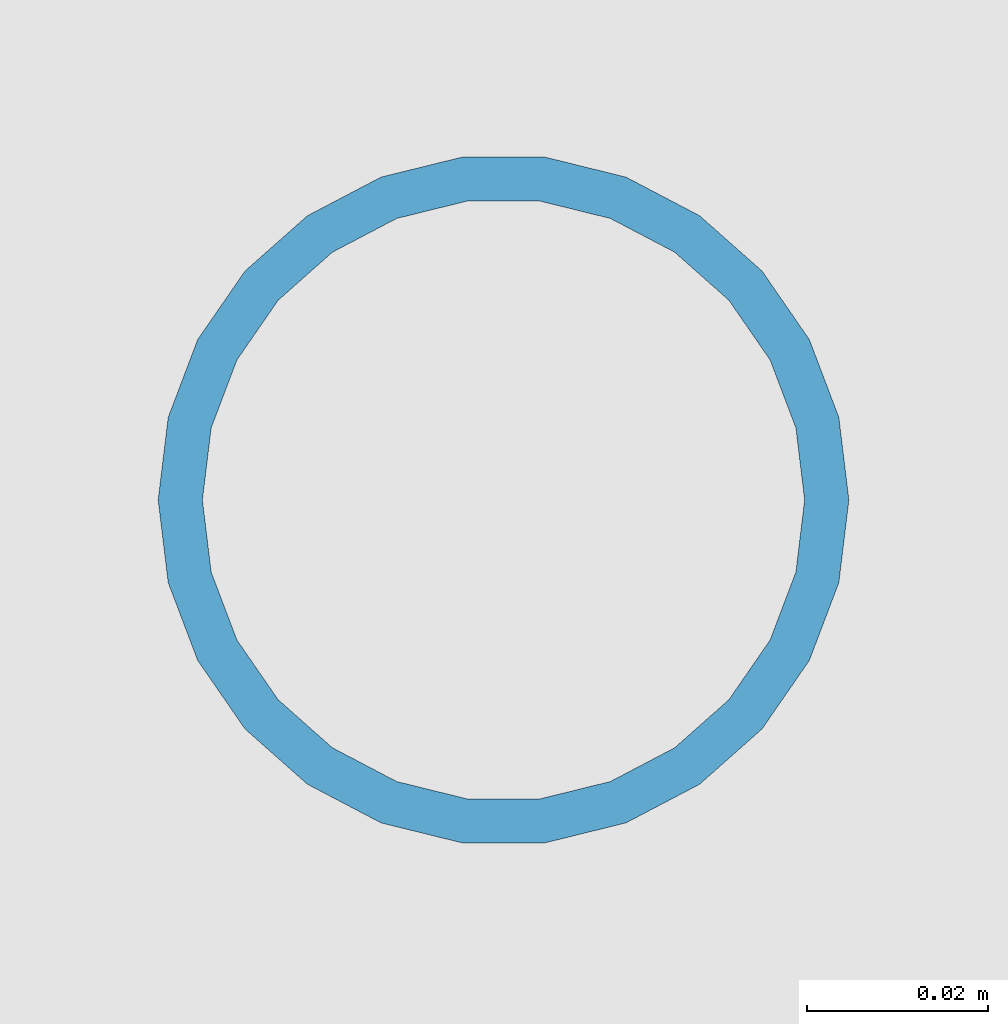
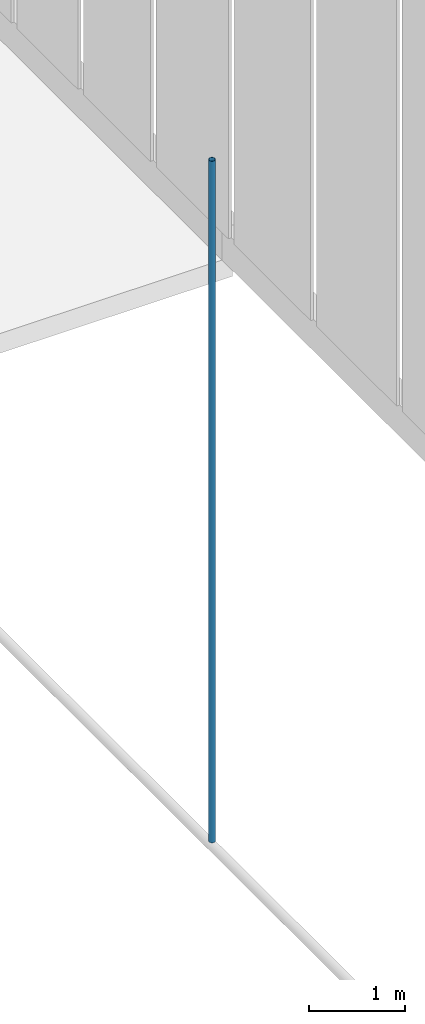
# One storey, part 34 of 109: 1 member.
"""IFC4 building model written with IfcOpenShell, lengths in metres."""

from ifc_helpers import new_model, si_unit, direction, frame, origin, origin_2d, place, context, subcontext, project, spatial, hollow_circle, extrude, material, material_profile, profile_set, type_object, element, save


model = new_model("IFC4")

# Units and contexts
model_context = context("Model", 3, precision=1e-05, world=origin(), true_north=direction((0.0, 1.0)))
body_context = subcontext(model_context, "Body", "Model", "MODEL_VIEW")
ifc_project = project(units=[si_unit("LENGTHUNIT", "METRE"), si_unit("AREAUNIT", "SQUARE_METRE"), si_unit("VOLUMEUNIT", "CUBIC_METRE"), si_unit("PLANEANGLEUNIT", "RADIAN"), si_unit("MASSUNIT", "GRAM", prefix="KILO")], contexts=[model_context])

# Site, building, storey
site_placement = place(None, origin())
site = spatial("IfcSite", under=ifc_project, at=site_placement, CompositionType="ELEMENT")
building_placement = place(site_placement, origin())
building = spatial("IfcBuilding", under=site, at=building_placement, Name="Lantern Court Research Institute", CompositionType="ELEMENT")
storey_placement = place(building_placement, frame((0.0, 0.0, 14.39990234375)))
storey = spatial("IfcBuildingStorey", under=building, at=storey_placement, Name="L03", CompositionType="ELEMENT", Elevation=14.39990234375)

# Member
ifc_material = material(Name="Structural steel S355", Category="steel")
ifc_material_profile = material_profile(ifc_material, hollow_circle(Radius=0.0380859375, WallThickness=0.0048828125, at=origin_2d()), Name="Gridshell light hanger CHS 76.1 x 5")
ifc_profile_set = profile_set([ifc_material_profile], Name="Structural steel S355")
member_type = type_object("IfcMemberType", Name="Gridshell light hanger CHS 76.1 x 5", PredefinedType="STRUT", material=ifc_profile_set)
member_placement = place(storey_placement, frame((73.54296875, 40.125, 0.25732421875), z_axis=(0.0, 0.0, 1.0), x_axis=(1.0, 0.0, 0.0)))
element("IfcMember", 1, at=member_placement, inside=storey, type_object=member_type, Name="Gridshell hanger", PredefinedType="STRUT", context=body_context, shape_type="SweptSolid", body=[
    extrude(hollow_circle(Radius=0.0380859375, WallThickness=0.0048828125, at=origin_2d()), origin(), (0.0, 0.0, 1.0), 8.642822265625),
])

save(model, "model.ifc")
